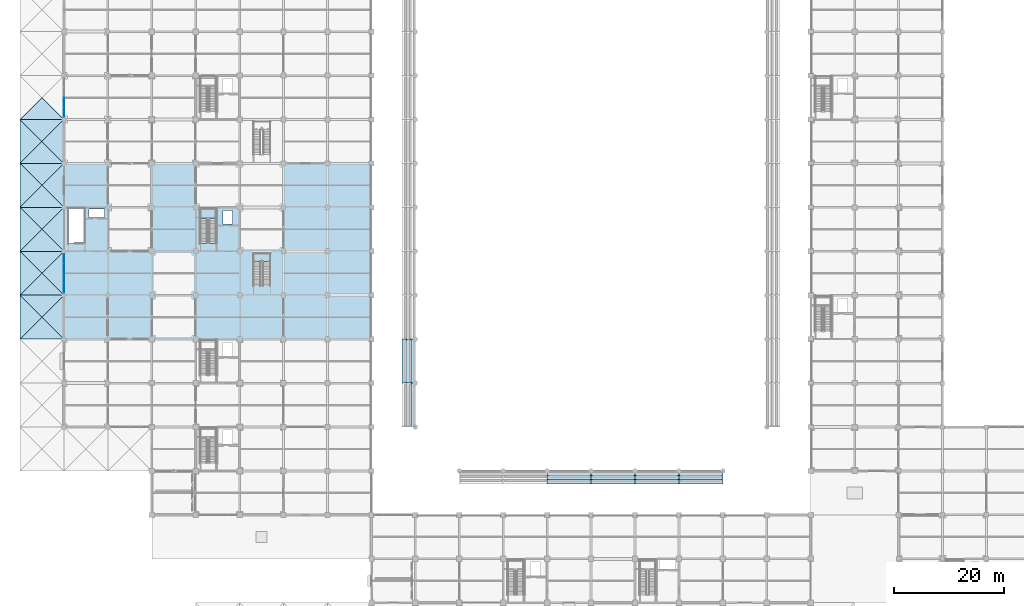
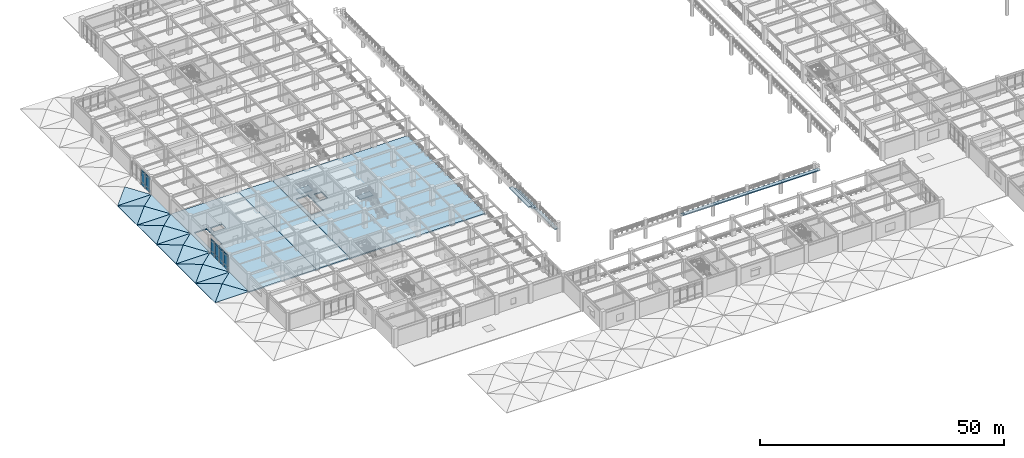
# One storey, part 56 of 109: 42 slabs, 18 plates, 4 elements without a shape of their own.
"""IFC4 building model written with IfcOpenShell, lengths in metres."""

from ifc_helpers import new_model, si_unit, direction, frame, origin, origin_2d, place, context, subcontext, project, spatial, polyline, rectangle, outline, extrude, material, layer, layer_set, type_object, element, aggregate, save


model = new_model("IFC4")

# Units and contexts
model_context = context("Model", 3, precision=1e-05, world=origin(), true_north=direction((0.0, 1.0)))
body_context = subcontext(model_context, "Body", "Model", "MODEL_VIEW")
ifc_project = project(units=[si_unit("LENGTHUNIT", "METRE"), si_unit("AREAUNIT", "SQUARE_METRE"), si_unit("VOLUMEUNIT", "CUBIC_METRE"), si_unit("PLANEANGLEUNIT", "RADIAN"), si_unit("MASSUNIT", "GRAM", prefix="KILO")], contexts=[model_context])

# Site, building, storey
site_placement = place(None, origin())
site = spatial("IfcSite", under=ifc_project, at=site_placement, CompositionType="ELEMENT")
building_placement = place(site_placement, origin())
building = spatial("IfcBuilding", under=site, at=building_placement, Name="Haebicheon Civic Stadium", CompositionType="ELEMENT")
storey_placement = place(building_placement, frame((0.0, 0.0, 9.60009765625)))
storey = spatial("IfcBuildingStorey", under=building, at=storey_placement, Name="L03", CompositionType="ELEMENT", Elevation=9.60009765625)

# Curtain wall, plates
ifc_material_1 = material(Name="Anodised aluminium and laminated glass", Category="aluminium")
ifc_layer_1 = layer(ifc_material_1, 0.179931640625, Name="Anodised aluminium and laminated glass")
ifc_layer_set_1 = layer_set([ifc_layer_1], Name="Anodised aluminium and laminated glass")
curtain_wall_type = type_object("IfcCurtainWallType", Name="CW-7150x3950", PredefinedType="NOTDEFINED", material=ifc_layer_set_1)
curtain_wall_1_placement = place(storey_placement, origin())
curtain_wall_1 = element("IfcCurtainWall", 1, at=curtain_wall_1_placement, inside=storey, type_object=curtain_wall_type, material=ifc_layer_set_1, Name="L03 unitised curtain wall 069", PredefinedType="NOTDEFINED")
ifc_material_2 = material(Name="Double low-e laminated glass", Category="glass")
ifc_layer_2 = layer(ifc_material_2, 0.028076171875, Name="Double low-e laminated glass")
ifc_layer_set_2 = layer_set([ifc_layer_2], Name="Double low-e laminated glass")
plate_type_1 = type_object("IfcPlateType", Name="CWP-GLZ-28", PredefinedType="CURTAIN_PANEL", material=ifc_layer_set_2)
plate_1_placement = place(storey_placement, frame((8.0, 73.3359375, 0.93505859375), z_axis=(0.0, 0.0, 1.0), x_axis=(0.0, 1.0, 0.0)))
plate_1 = element("IfcPlate", 2, at=plate_1_placement, type_object=plate_type_1, material=ifc_layer_set_2, Name="CW-L03-069 vision panel 1.2", PredefinedType="CURTAIN_PANEL", context=body_context, shape_type="SweptSolid", body=[
    extrude(rectangle(XDim=1.68310546875, YDim=0.028076171875, at=origin_2d()), origin(), (0.0, 0.0, 1.0), 2.429931640625),
])
plate_2_placement = place(storey_placement, frame((8.0, 75.10595703125, 0.93505859375), z_axis=(0.0, 0.0, 1.0), x_axis=(0.0, 1.0, 0.0)))
plate_2 = element("IfcPlate", 3, at=plate_2_placement, type_object=plate_type_1, material=ifc_layer_set_2, Name="CW-L03-069 vision panel 2.2", PredefinedType="CURTAIN_PANEL", context=body_context, shape_type="SweptSolid", body=[
    extrude(rectangle(XDim=1.717041015625, YDim=0.028076171875, at=origin_2d()), origin(), (0.0, 0.0, 1.0), 2.429931640625),
])
plate_3_placement = place(storey_placement, frame((8.0, 76.89404296875, 0.93505859375), z_axis=(0.0, 0.0, 1.0), x_axis=(0.0, 1.0, 0.0)))
plate_3 = element("IfcPlate", 4, at=plate_3_placement, type_object=plate_type_1, material=ifc_layer_set_2, Name="CW-L03-069 vision panel 3.2", PredefinedType="CURTAIN_PANEL", context=body_context, shape_type="SweptSolid", body=[
    extrude(rectangle(XDim=1.718017578125, YDim=0.028076171875, at=origin_2d()), origin(), (0.0, 0.0, 1.0), 2.429931640625),
])
plate_4_placement = place(storey_placement, frame((8.0, 78.6640625, 0.93505859375), z_axis=(0.0, 0.0, 1.0), x_axis=(0.0, 1.0, 0.0)))
plate_4 = element("IfcPlate", 5, at=plate_4_placement, type_object=plate_type_1, material=ifc_layer_set_2, Name="CW-L03-069 vision panel 4.2", PredefinedType="CURTAIN_PANEL", context=body_context, shape_type="SweptSolid", body=[
    extrude(rectangle(XDim=1.681884765625, YDim=0.028076171875, at=origin_2d()), origin(), (0.0, 0.0, 1.0), 2.429931640625),
])

curtain_wall_2_placement = place(storey_placement, origin())
curtain_wall_2 = element("IfcCurtainWall", 6, at=curtain_wall_2_placement, inside=storey, type_object=curtain_wall_type, material=ifc_layer_set_1, Name="L03 unitised curtain wall 070", PredefinedType="NOTDEFINED")
plate_5_placement = place(storey_placement, frame((8.0, 105.3359375, 0.93505859375), z_axis=(0.0, 0.0, 1.0), x_axis=(0.0, 1.0, 0.0)))
plate_5 = element("IfcPlate", 7, at=plate_5_placement, type_object=plate_type_1, material=ifc_layer_set_2, Name="CW-L03-070 vision panel 1.2", PredefinedType="CURTAIN_PANEL", context=body_context, shape_type="SweptSolid", body=[
    extrude(rectangle(XDim=1.68310546875, YDim=0.028076171875, at=origin_2d()), origin(), (0.0, 0.0, 1.0), 2.429931640625),
])
plate_6_placement = place(storey_placement, frame((8.0, 107.10595703125, 0.93505859375), z_axis=(0.0, 0.0, 1.0), x_axis=(0.0, 1.0, 0.0)))
plate_6 = element("IfcPlate", 8, at=plate_6_placement, type_object=plate_type_1, material=ifc_layer_set_2, Name="CW-L03-070 vision panel 2.2", PredefinedType="CURTAIN_PANEL", context=body_context, shape_type="SweptSolid", body=[
    extrude(rectangle(XDim=1.717041015625, YDim=0.028076171875, at=origin_2d()), origin(), (0.0, 0.0, 1.0), 2.429931640625),
])

# Plate
ifc_material_3 = material(Name="Anodised aluminium 6063-T6", Category="aluminium")
ifc_layer_3 = layer(ifc_material_3, 0.0439453125, Name="Anodised aluminium 6063-T6")
ifc_layer_set_3 = layer_set([ifc_layer_3], Name="Anodised aluminium 6063-T6")
plate_type_2 = type_object("IfcPlateType", Name="CWP-SPD-44", PredefinedType="CURTAIN_PANEL", material=ifc_layer_set_3)
plate_7_placement = place(storey_placement, frame((8.0, 73.3359375, 0.034912109375), z_axis=(0.0, 0.0, 1.0), x_axis=(0.0, 1.0, 0.0)))
plate_7 = element("IfcPlate", 9, at=plate_7_placement, type_object=plate_type_2, material=ifc_layer_set_3, Name="CW-L03-069 spandrel panel 1.1", PredefinedType="CURTAIN_PANEL", context=body_context, shape_type="SweptSolid", body=[
    extrude(rectangle(XDim=1.68310546875, YDim=0.0439453125, at=origin_2d()), origin(), (0.0, 0.0, 1.0), 0.830078125),
])

plate_8_placement = place(storey_placement, frame((8.0, 73.3359375, 3.434814453125), z_axis=(0.0, 0.0, 1.0), x_axis=(0.0, 1.0, 0.0)))
plate_8 = element("IfcPlate", 10, at=plate_8_placement, type_object=plate_type_2, material=ifc_layer_set_3, Name="CW-L03-069 spandrel panel 1.3", PredefinedType="CURTAIN_PANEL", context=body_context, shape_type="SweptSolid", body=[
    extrude(rectangle(XDim=1.68310546875, YDim=0.0439453125, at=origin_2d()), origin(), (0.0, 0.0, 1.0), 0.47998046875),
])

plate_9_placement = place(storey_placement, frame((8.0, 75.10595703125, 0.034912109375), z_axis=(0.0, 0.0, 1.0), x_axis=(0.0, 1.0, 0.0)))
plate_9 = element("IfcPlate", 11, at=plate_9_placement, type_object=plate_type_2, material=ifc_layer_set_3, Name="CW-L03-069 spandrel panel 2.1", PredefinedType="CURTAIN_PANEL", context=body_context, shape_type="SweptSolid", body=[
    extrude(rectangle(XDim=1.717041015625, YDim=0.0439453125, at=origin_2d()), origin(), (0.0, 0.0, 1.0), 0.830078125),
])

plate_10_placement = place(storey_placement, frame((8.0, 75.10595703125, 3.434814453125), z_axis=(0.0, 0.0, 1.0), x_axis=(0.0, 1.0, 0.0)))
plate_10 = element("IfcPlate", 12, at=plate_10_placement, type_object=plate_type_2, material=ifc_layer_set_3, Name="CW-L03-069 spandrel panel 2.3", PredefinedType="CURTAIN_PANEL", context=body_context, shape_type="SweptSolid", body=[
    extrude(rectangle(XDim=1.717041015625, YDim=0.0439453125, at=origin_2d()), origin(), (0.0, 0.0, 1.0), 0.47998046875),
])

plate_11_placement = place(storey_placement, frame((8.0, 76.89404296875, 0.034912109375), z_axis=(0.0, 0.0, 1.0), x_axis=(0.0, 1.0, 0.0)))
plate_11 = element("IfcPlate", 13, at=plate_11_placement, type_object=plate_type_2, material=ifc_layer_set_3, Name="CW-L03-069 spandrel panel 3.1", PredefinedType="CURTAIN_PANEL", context=body_context, shape_type="SweptSolid", body=[
    extrude(rectangle(XDim=1.718017578125, YDim=0.0439453125, at=origin_2d()), origin(), (0.0, 0.0, 1.0), 0.830078125),
])

plate_12_placement = place(storey_placement, frame((8.0, 76.89404296875, 3.434814453125), z_axis=(0.0, 0.0, 1.0), x_axis=(0.0, 1.0, 0.0)))
plate_12 = element("IfcPlate", 14, at=plate_12_placement, type_object=plate_type_2, material=ifc_layer_set_3, Name="CW-L03-069 spandrel panel 3.3", PredefinedType="CURTAIN_PANEL", context=body_context, shape_type="SweptSolid", body=[
    extrude(rectangle(XDim=1.718017578125, YDim=0.0439453125, at=origin_2d()), origin(), (0.0, 0.0, 1.0), 0.47998046875),
])

plate_13_placement = place(storey_placement, frame((8.0, 78.6640625, 0.034912109375), z_axis=(0.0, 0.0, 1.0), x_axis=(0.0, 1.0, 0.0)))
plate_13 = element("IfcPlate", 15, at=plate_13_placement, type_object=plate_type_2, material=ifc_layer_set_3, Name="CW-L03-069 spandrel panel 4.1", PredefinedType="CURTAIN_PANEL", context=body_context, shape_type="SweptSolid", body=[
    extrude(rectangle(XDim=1.681884765625, YDim=0.0439453125, at=origin_2d()), origin(), (0.0, 0.0, 1.0), 0.830078125),
])

plate_14_placement = place(storey_placement, frame((8.0, 78.6640625, 3.434814453125), z_axis=(0.0, 0.0, 1.0), x_axis=(0.0, 1.0, 0.0)))
plate_14 = element("IfcPlate", 16, at=plate_14_placement, type_object=plate_type_2, material=ifc_layer_set_3, Name="CW-L03-069 spandrel panel 4.3", PredefinedType="CURTAIN_PANEL", context=body_context, shape_type="SweptSolid", body=[
    extrude(rectangle(XDim=1.681884765625, YDim=0.0439453125, at=origin_2d()), origin(), (0.0, 0.0, 1.0), 0.47998046875),
])

aggregate(curtain_wall_1, [plate_7, plate_1, plate_8, plate_9, plate_2, plate_10, plate_11, plate_3, plate_12, plate_13, plate_4, plate_14])

plate_15_placement = place(storey_placement, frame((8.0, 105.3359375, 0.034912109375), z_axis=(0.0, 0.0, 1.0), x_axis=(0.0, 1.0, 0.0)))
plate_15 = element("IfcPlate", 17, at=plate_15_placement, type_object=plate_type_2, material=ifc_layer_set_3, Name="CW-L03-070 spandrel panel 1.1", PredefinedType="CURTAIN_PANEL", context=body_context, shape_type="SweptSolid", body=[
    extrude(rectangle(XDim=1.68310546875, YDim=0.0439453125, at=origin_2d()), origin(), (0.0, 0.0, 1.0), 0.830078125),
])

plate_16_placement = place(storey_placement, frame((8.0, 105.3359375, 3.434814453125), z_axis=(0.0, 0.0, 1.0), x_axis=(0.0, 1.0, 0.0)))
plate_16 = element("IfcPlate", 18, at=plate_16_placement, type_object=plate_type_2, material=ifc_layer_set_3, Name="CW-L03-070 spandrel panel 1.3", PredefinedType="CURTAIN_PANEL", context=body_context, shape_type="SweptSolid", body=[
    extrude(rectangle(XDim=1.68310546875, YDim=0.0439453125, at=origin_2d()), origin(), (0.0, 0.0, 1.0), 0.47998046875),
])

plate_17_placement = place(storey_placement, frame((8.0, 107.10595703125, 0.034912109375), z_axis=(0.0, 0.0, 1.0), x_axis=(0.0, 1.0, 0.0)))
plate_17 = element("IfcPlate", 19, at=plate_17_placement, type_object=plate_type_2, material=ifc_layer_set_3, Name="CW-L03-070 spandrel panel 2.1", PredefinedType="CURTAIN_PANEL", context=body_context, shape_type="SweptSolid", body=[
    extrude(rectangle(XDim=1.717041015625, YDim=0.0439453125, at=origin_2d()), origin(), (0.0, 0.0, 1.0), 0.830078125),
])

plate_18_placement = place(storey_placement, frame((8.0, 107.10595703125, 3.434814453125), z_axis=(0.0, 0.0, 1.0), x_axis=(0.0, 1.0, 0.0)))
plate_18 = element("IfcPlate", 20, at=plate_18_placement, type_object=plate_type_2, material=ifc_layer_set_3, Name="CW-L03-070 spandrel panel 2.3", PredefinedType="CURTAIN_PANEL", context=body_context, shape_type="SweptSolid", body=[
    extrude(rectangle(XDim=1.717041015625, YDim=0.0439453125, at=origin_2d()), origin(), (0.0, 0.0, 1.0), 0.47998046875),
])

aggregate(curtain_wall_2, [plate_15, plate_5, plate_16, plate_17, plate_6, plate_18])

# Slabs
ifc_material_4 = material(Name="Concrete C40/50", Category="concrete")
ifc_layer_4 = layer(ifc_material_4, 0.280029296875, Name="Concrete C40/50")
ifc_layer_set_4 = layer_set([ifc_layer_4], Name="Concrete C40/50")
slab_type_1 = type_object("IfcSlabType", Name="SLB-FLR-280", PredefinedType="FLOOR", material=ifc_layer_set_4)
slab_1_placement = place(storey_placement, frame((0.0, 0.0, -0.280029296875)))
element("IfcSlab", 21, at=slab_1_placement, inside=storey, type_object=slab_type_1, material=ifc_layer_set_4, Name="L03 V1 structural slab 2.1", PredefinedType="FLOOR", context=body_context, shape_type="SweptSolid", body=[
    extrude(outline(polyline([(24.0, 64.0), (24.0, 72.0), (24.0, 80.0), (24.0, 88.0), (24.0, 96.0), (32.0, 96.0), (32.0, 88.0), (32.0, 80.0), (32.0, 72.0), (32.0, 64.0), (24.0, 64.0)])), origin(), (0.0, 0.0, 1.0), 0.280029296875),
])
slab_2_placement = place(storey_placement, frame((0.0, 0.0, -0.280029296875)))
element("IfcSlab", 22, at=slab_2_placement, inside=storey, type_object=slab_type_1, material=ifc_layer_set_4, Name="L03 V1 structural slab 6.1", PredefinedType="FLOOR", context=body_context, shape_type="SweptSolid", body=[
    extrude(outline(polyline([(32.0, 88.0), (32.0, 96.0), (40.0, 96.0), (48.0, 96.0), (56.0, 96.0), (64.0, 96.0), (64.0, 88.0), (64.0, 80.0), (64.0, 72.0), (64.0, 64.0), (56.0, 64.0), (48.0, 64.0), (40.0, 64.0), (32.0, 64.0), (32.0, 72.0), (32.0, 80.0), (32.0, 88.0)]), holes=[polyline([(32.840087890625, 81.4599609375), (35.739990234375, 81.4599609375), (35.739990234375, 87.840087890625), (32.840087890625, 87.840087890625), (32.840087890625, 81.4599609375)]), polyline([(36.969970703125, 84.929931640625), (38.669921875, 84.929931640625), (38.669921875, 87.429931640625), (36.969970703125, 87.429931640625), (36.969970703125, 84.929931640625)])]), origin(), (0.0, 0.0, 1.0), 0.280029296875),
])
slab_3_placement = place(storey_placement, frame((0.0, 0.0, -0.280029296875)))
element("IfcSlab", 23, at=slab_3_placement, inside=storey, type_object=slab_type_1, material=ifc_layer_set_4, Name="L03 V5 structural slab 2.1", PredefinedType="FLOOR", context=body_context, shape_type="SweptSolid", body=[
    extrude(outline(polyline([(8.0, 80.0), (8.0, 88.0), (8.0, 96.0), (16.0, 96.0), (24.0, 96.0), (24.0, 88.0), (24.0, 80.0), (24.0, 72.0), (24.0, 64.0), (16.0, 64.0), (8.0, 64.0), (8.0, 72.0), (8.0, 80.0)]), holes=[polyline([(8.840087890625, 81.4599609375), (11.739990234375, 81.4599609375), (11.739990234375, 87.840087890625), (8.840087890625, 87.840087890625), (8.840087890625, 81.4599609375)]), polyline([(12.550048828125, 86.14990234375), (15.35009765625, 86.14990234375), (15.35009765625, 87.75), (12.550048828125, 87.75), (12.550048828125, 86.14990234375)])]), origin(), (0.0, 0.0, 1.0), 0.280029296875),
])

# Stair, slab
ifc_material_5 = material(Name="Concrete C40/50", Category="concrete")
stair_type_1 = type_object("IfcStairType", Name="STR-DL-W126-H48", PredefinedType="HALF_TURN_STAIR", material=ifc_material_5)
stair_1_placement = place(storey_placement, origin())
stair_1 = element("IfcStair", 24, at=stair_1_placement, inside=storey, type_object=stair_type_1, material=ifc_material_5, Name="L03 Escape stair ST-03", PredefinedType="HALF_TURN_STAIR")
ifc_material_6 = material(Name="Concrete C40/50", Category="concrete")
ifc_layer_5 = layer(ifc_material_6, 0.199951171875, Name="Concrete C40/50")
ifc_layer_set_5 = layer_set([ifc_layer_5], Name="Concrete C40/50")
slab_type_2 = type_object("IfcSlabType", Name="SLB-LND-200", PredefinedType="LANDING", material=ifc_layer_set_5)
slab_4_placement = place(storey_placement, frame((0.0, 0.0, 2.199951171875)))
slab_4 = element("IfcSlab", 25, at=slab_4_placement, type_object=slab_type_2, material=ifc_layer_set_5, Name="ST-03 landing 1", PredefinedType="LANDING", context=body_context, shape_type="SweptSolid", body=[
    extrude(outline(polyline([(35.739990234375, 85.949951171875), (35.739990234375, 87.840087890625), (32.840087890625, 87.840087890625), (32.840087890625, 85.949951171875), (35.739990234375, 85.949951171875)])), origin(), (0.0, 0.0, 1.0), 0.199951171875),
])
aggregate(stair_1, [slab_4])

ifc_material_7 = material(Name="Concrete C40/50", Category="concrete")
stair_type_2 = type_object("IfcStairType", Name="STR-DL-W140-H48", PredefinedType="HALF_TURN_STAIR", material=ifc_material_7)
stair_2_placement = place(storey_placement, origin())
stair_2 = element("IfcStair", 26, at=stair_2_placement, inside=storey, type_object=stair_type_2, material=ifc_material_7, Name="Vomitory stair VM-04 (L03)", PredefinedType="HALF_TURN_STAIR")
slab_5_placement = place(storey_placement, frame((0.0, 0.0, 2.199951171875)))
slab_5 = element("IfcSlab", 27, at=slab_5_placement, type_object=slab_type_2, material=ifc_layer_set_5, Name="VM-04 landing 1", PredefinedType="LANDING", context=body_context, shape_type="SweptSolid", body=[
    extrude(outline(polyline([(45.639892578125, 78.14990234375), (45.639892578125, 79.64990234375), (42.4599609375, 79.64990234375), (42.4599609375, 78.14990234375), (45.639892578125, 78.14990234375)])), origin(), (0.0, 0.0, 1.0), 0.199951171875),
])
aggregate(stair_2, [slab_5])

# Slabs
ifc_material_8 = material(Name="Precast concrete C40/50", Category="concrete")
ifc_layer_6 = layer(ifc_material_8, 0.169921875, Name="Precast concrete C40/50")
ifc_layer_set_6 = layer_set([ifc_layer_6], Name="Precast concrete C40/50")
slab_type_3 = type_object("IfcSlabType", Name="SLB-ROOF-170", PredefinedType="ROOF", material=ifc_layer_set_6)
for number, where, z_axis, x_axis, name in (
    (28, (0.0, 64.0, 0.02001953125), (0.0, -0.21948952406, 0.97561485681), (1.0, 0.0, 0.0), "L03 V5 folded shell roof facet 4.S"),
    (29, (8.0, 64.0, 0.02001953125), (0.21948952406, 0.0, 0.97561485681), (0.0, 1.0, 0.0), "L03 V5 folded shell roof facet 4.E"),
    (30, (8.0, 72.0, 0.02001953125), (0.0, 0.21948952406, 0.97561485681), (-1.0, 0.0, 0.0), "L03 V5 folded shell roof facet 4.N"),
    (31, (0.0, 72.0, 0.02001953125), (-0.21948952406, 0.0, 0.97561485681), (0.0, -1.0, 0.0), "L03 V5 folded shell roof facet 4.W"),
    (32, (0.0, 72.0, 0.02001953125), (0.0, -0.21948952406, 0.97561485681), (1.0, 0.0, 0.0), "L03 V5 folded shell roof facet 5.S"),
    (33, (8.0, 72.0, 0.02001953125), (0.21948952406, 0.0, 0.97561485681), (0.0, 1.0, 0.0), "L03 V5 folded shell roof facet 5.E"),
    (34, (8.0, 80.0, 0.02001953125), (0.0, 0.21948952406, 0.97561485681), (-1.0, 0.0, 0.0), "L03 V5 folded shell roof facet 5.N"),
    (35, (0.0, 80.0, 0.02001953125), (-0.21948952406, 0.0, 0.97561485681), (0.0, -1.0, 0.0), "L03 V5 folded shell roof facet 5.W"),
    (36, (0.0, 80.0, 0.02001953125), (0.0, -0.21948952406, 0.97561485681), (1.0, 0.0, 0.0), "L03 V5 folded shell roof facet 6.S"),
    (37, (8.0, 80.0, 0.02001953125), (0.21948952406, 0.0, 0.97561485681), (0.0, 1.0, 0.0), "L03 V5 folded shell roof facet 6.E"),
    (38, (8.0, 88.0, 0.02001953125), (0.0, 0.21948952406, 0.97561485681), (-1.0, 0.0, 0.0), "L03 V5 folded shell roof facet 6.N"),
    (39, (0.0, 88.0, 0.02001953125), (-0.21948952406, 0.0, 0.97561485681), (0.0, -1.0, 0.0), "L03 V5 folded shell roof facet 6.W"),
    (40, (0.0, 88.0, 0.02001953125), (0.0, -0.21948952406, 0.97561485681), (1.0, 0.0, 0.0), "L03 V5 folded shell roof facet 7.S"),
    (41, (8.0, 88.0, 0.02001953125), (0.21948952406, 0.0, 0.97561485681), (0.0, 1.0, 0.0), "L03 V5 folded shell roof facet 7.E"),
    (42, (8.0, 96.0, 0.02001953125), (0.0, 0.21948952406, 0.97561485681), (-1.0, 0.0, 0.0), "L03 V5 folded shell roof facet 7.N"),
    (43, (0.0, 96.0, 0.02001953125), (-0.21948952406, 0.0, 0.97561485681), (0.0, -1.0, 0.0), "L03 V5 folded shell roof facet 7.W"),
    (44, (0.0, 96.0, 0.02001953125), (0.0, -0.21948952406, 0.97561485681), (1.0, 0.0, 0.0), "L03 V5 folded shell roof facet 8.S"),
    (45, (8.0, 96.0, 0.02001953125), (0.21948952406, 0.0, 0.97561485681), (0.0, 1.0, 0.0), "L03 V5 folded shell roof facet 8.E"),
    (46, (8.0, 104.0, 0.02001953125), (0.0, 0.21948952406, 0.97561485681), (-1.0, 0.0, 0.0), "L03 V5 folded shell roof facet 8.N"),
    (47, (0.0, 104.0, 0.02001953125), (-0.21948952406, 0.0, 0.97561485681), (0.0, -1.0, 0.0), "L03 V5 folded shell roof facet 8.W"),
    (48, (0.0, 104.0, 0.02001953125), (0.0, -0.21948952406, 0.97561485681), (1.0, 0.0, 0.0), "L03 V5 folded shell roof facet 9.S"),
):
    element("IfcSlab", number, at=place(storey_placement, frame(where, z_axis=z_axis, x_axis=x_axis)), inside=storey, type_object=slab_type_3, material=ifc_layer_set_6, Name=name, PredefinedType="ROOF", context=body_context, shape_type="SweptSolid", body=[
        extrude(outline(polyline([(0.0, 0.0), (8.0, 0.0), (4.0, 4.099978564369178), (0.0, 0.0)])), origin(), (0.0, 0.0, -1.0), 0.169921875),
    ])
ifc_material_9 = material(Name="Precast concrete C40/50", Category="concrete")
ifc_layer_7 = layer(ifc_material_9, 0.239990234375, Name="Precast concrete C40/50")
ifc_layer_set_7 = layer_set([ifc_layer_7], Name="Precast concrete C40/50")
slab_type_4 = type_object("IfcSlabType", Name="SLB-TIER-240", PredefinedType="USERDEFINED", material=ifc_layer_set_7)
slab_6_placement = place(storey_placement, frame((0.0, 0.0, 2.9599609375)))
element("IfcSlab", 49, at=slab_6_placement, inside=storey, type_object=slab_type_4, material=ifc_layer_set_7, Name="TIER-W-U precast seating tier bay 1 row-band 1", ObjectType="SEATING TIER", PredefinedType="USERDEFINED", context=body_context, shape_type="SweptSolid", body=[
    extrude(outline(polyline([(71.199951171875, 48.0), (72.0, 48.0), (72.0, 56.0), (71.199951171875, 56.0), (71.199951171875, 48.0)])), origin(), (0.0, 0.0, 1.0), 0.239990234375),
])
slab_7_placement = place(storey_placement, frame((0.0, 0.0, 2.9599609375)))
element("IfcSlab", 50, at=slab_7_placement, inside=storey, type_object=slab_type_4, material=ifc_layer_set_7, Name="TIER-W-U precast seating tier bay 2 row-band 1", ObjectType="SEATING TIER", PredefinedType="USERDEFINED", context=body_context, shape_type="SweptSolid", body=[
    extrude(outline(polyline([(71.199951171875, 56.0), (72.0, 56.0), (72.0, 64.0), (71.199951171875, 64.0), (71.199951171875, 56.0)])), origin(), (0.0, 0.0, 1.0), 0.239990234375),
])
slab_8_placement = place(storey_placement, frame((0.0, 0.0, 3.60400390625)))
element("IfcSlab", 51, at=slab_8_placement, inside=storey, type_object=slab_type_4, material=ifc_layer_set_7, Name="TIER-W-U precast seating tier bay 2 row-band 2", ObjectType="SEATING TIER", PredefinedType="USERDEFINED", context=body_context, shape_type="SweptSolid", body=[
    extrude(outline(polyline([(70.39990234375, 56.0), (71.199951171875, 56.0), (71.199951171875, 64.0), (70.39990234375, 64.0), (70.39990234375, 56.0)])), origin(), (0.0, 0.0, 1.0), 0.239990234375),
])
slab_9_placement = place(storey_placement, frame((0.0, 0.0, 4.2490234375)))
element("IfcSlab", 52, at=slab_9_placement, inside=storey, type_object=slab_type_4, material=ifc_layer_set_7, Name="TIER-W-U precast seating tier bay 2 row-band 3", ObjectType="SEATING TIER", PredefinedType="USERDEFINED", context=body_context, shape_type="SweptSolid", body=[
    extrude(outline(polyline([(69.60009765625, 56.0), (70.39990234375, 56.0), (70.39990234375, 64.0), (69.60009765625, 64.0), (69.60009765625, 56.0)])), origin(), (0.0, 0.0, 1.0), 0.239990234375),
])
slab_10_placement = place(storey_placement, frame((0.0, 0.0, 2.9599609375)))
element("IfcSlab", 53, at=slab_10_placement, inside=storey, type_object=slab_type_4, material=ifc_layer_set_7, Name="TIER-S-U precast seating tier bay 3 row-band 1", ObjectType="SEATING TIER", PredefinedType="USERDEFINED", context=body_context, shape_type="SweptSolid", body=[
    extrude(outline(polyline([(96.0, 39.199951171875), (104.0, 39.199951171875), (104.0, 40.0), (96.0, 40.0), (96.0, 39.199951171875)])), origin(), (0.0, 0.0, 1.0), 0.239990234375),
])
slab_11_placement = place(storey_placement, frame((0.0, 0.0, 3.60400390625)))
element("IfcSlab", 54, at=slab_11_placement, inside=storey, type_object=slab_type_4, material=ifc_layer_set_7, Name="TIER-S-U precast seating tier bay 3 row-band 2", ObjectType="SEATING TIER", PredefinedType="USERDEFINED", context=body_context, shape_type="SweptSolid", body=[
    extrude(outline(polyline([(96.0, 38.39990234375), (104.0, 38.39990234375), (104.0, 39.199951171875), (96.0, 39.199951171875), (96.0, 38.39990234375)])), origin(), (0.0, 0.0, 1.0), 0.239990234375),
])
slab_12_placement = place(storey_placement, frame((0.0, 0.0, 4.2490234375)))
element("IfcSlab", 55, at=slab_12_placement, inside=storey, type_object=slab_type_4, material=ifc_layer_set_7, Name="TIER-S-U precast seating tier bay 3 row-band 3", ObjectType="SEATING TIER", PredefinedType="USERDEFINED", context=body_context, shape_type="SweptSolid", body=[
    extrude(outline(polyline([(96.0, 37.60009765625), (104.0, 37.60009765625), (104.0, 38.39990234375), (96.0, 38.39990234375), (96.0, 37.60009765625)])), origin(), (0.0, 0.0, 1.0), 0.239990234375),
])
slab_13_placement = place(storey_placement, frame((0.0, 0.0, 2.9599609375)))
element("IfcSlab", 56, at=slab_13_placement, inside=storey, type_object=slab_type_4, material=ifc_layer_set_7, Name="TIER-S-U precast seating tier bay 4 row-band 1", ObjectType="SEATING TIER", PredefinedType="USERDEFINED", context=body_context, shape_type="SweptSolid", body=[
    extrude(outline(polyline([(104.0, 39.199951171875), (112.0, 39.199951171875), (112.0, 40.0), (104.0, 40.0), (104.0, 39.199951171875)])), origin(), (0.0, 0.0, 1.0), 0.239990234375),
])
slab_14_placement = place(storey_placement, frame((0.0, 0.0, 3.60400390625)))
element("IfcSlab", 57, at=slab_14_placement, inside=storey, type_object=slab_type_4, material=ifc_layer_set_7, Name="TIER-S-U precast seating tier bay 4 row-band 2", ObjectType="SEATING TIER", PredefinedType="USERDEFINED", context=body_context, shape_type="SweptSolid", body=[
    extrude(outline(polyline([(104.0, 38.39990234375), (112.0, 38.39990234375), (112.0, 39.199951171875), (104.0, 39.199951171875), (104.0, 38.39990234375)])), origin(), (0.0, 0.0, 1.0), 0.239990234375),
])
slab_15_placement = place(storey_placement, frame((0.0, 0.0, 4.2490234375)))
element("IfcSlab", 58, at=slab_15_placement, inside=storey, type_object=slab_type_4, material=ifc_layer_set_7, Name="TIER-S-U precast seating tier bay 4 row-band 3", ObjectType="SEATING TIER", PredefinedType="USERDEFINED", context=body_context, shape_type="SweptSolid", body=[
    extrude(outline(polyline([(104.0, 37.60009765625), (112.0, 37.60009765625), (112.0, 38.39990234375), (104.0, 38.39990234375), (104.0, 37.60009765625)])), origin(), (0.0, 0.0, 1.0), 0.239990234375),
])
slab_16_placement = place(storey_placement, frame((0.0, 0.0, 2.9599609375)))
element("IfcSlab", 59, at=slab_16_placement, inside=storey, type_object=slab_type_4, material=ifc_layer_set_7, Name="TIER-S-U precast seating tier bay 5 row-band 1", ObjectType="SEATING TIER", PredefinedType="USERDEFINED", context=body_context, shape_type="SweptSolid", body=[
    extrude(outline(polyline([(112.0, 39.199951171875), (120.0, 39.199951171875), (120.0, 40.0), (112.0, 40.0), (112.0, 39.199951171875)])), origin(), (0.0, 0.0, 1.0), 0.239990234375),
])
slab_17_placement = place(storey_placement, frame((0.0, 0.0, 3.60400390625)))
element("IfcSlab", 60, at=slab_17_placement, inside=storey, type_object=slab_type_4, material=ifc_layer_set_7, Name="TIER-S-U precast seating tier bay 5 row-band 2", ObjectType="SEATING TIER", PredefinedType="USERDEFINED", context=body_context, shape_type="SweptSolid", body=[
    extrude(outline(polyline([(112.0, 38.39990234375), (120.0, 38.39990234375), (120.0, 39.199951171875), (112.0, 39.199951171875), (112.0, 38.39990234375)])), origin(), (0.0, 0.0, 1.0), 0.239990234375),
])
slab_18_placement = place(storey_placement, frame((0.0, 0.0, 4.2490234375)))
element("IfcSlab", 61, at=slab_18_placement, inside=storey, type_object=slab_type_4, material=ifc_layer_set_7, Name="TIER-S-U precast seating tier bay 5 row-band 3", ObjectType="SEATING TIER", PredefinedType="USERDEFINED", context=body_context, shape_type="SweptSolid", body=[
    extrude(outline(polyline([(112.0, 37.60009765625), (120.0, 37.60009765625), (120.0, 38.39990234375), (112.0, 38.39990234375), (112.0, 37.60009765625)])), origin(), (0.0, 0.0, 1.0), 0.239990234375),
])
slab_19_placement = place(storey_placement, frame((0.0, 0.0, 2.9599609375)))
element("IfcSlab", 62, at=slab_19_placement, inside=storey, type_object=slab_type_4, material=ifc_layer_set_7, Name="TIER-S-U precast seating tier bay 6 row-band 1", ObjectType="SEATING TIER", PredefinedType="USERDEFINED", context=body_context, shape_type="SweptSolid", body=[
    extrude(outline(polyline([(120.0, 39.199951171875), (128.0, 39.199951171875), (128.0, 40.0), (120.0, 40.0), (120.0, 39.199951171875)])), origin(), (0.0, 0.0, 1.0), 0.239990234375),
])
slab_20_placement = place(storey_placement, frame((0.0, 0.0, 3.60400390625)))
element("IfcSlab", 63, at=slab_20_placement, inside=storey, type_object=slab_type_4, material=ifc_layer_set_7, Name="TIER-S-U precast seating tier bay 6 row-band 2", ObjectType="SEATING TIER", PredefinedType="USERDEFINED", context=body_context, shape_type="SweptSolid", body=[
    extrude(outline(polyline([(120.0, 38.39990234375), (128.0, 38.39990234375), (128.0, 39.199951171875), (120.0, 39.199951171875), (120.0, 38.39990234375)])), origin(), (0.0, 0.0, 1.0), 0.239990234375),
])
slab_21_placement = place(storey_placement, frame((0.0, 0.0, 4.2490234375)))
element("IfcSlab", 64, at=slab_21_placement, inside=storey, type_object=slab_type_4, material=ifc_layer_set_7, Name="TIER-S-U precast seating tier bay 6 row-band 3", ObjectType="SEATING TIER", PredefinedType="USERDEFINED", context=body_context, shape_type="SweptSolid", body=[
    extrude(outline(polyline([(120.0, 37.60009765625), (128.0, 37.60009765625), (128.0, 38.39990234375), (120.0, 38.39990234375), (120.0, 37.60009765625)])), origin(), (0.0, 0.0, 1.0), 0.239990234375),
])

save(model, "model.ifc")
